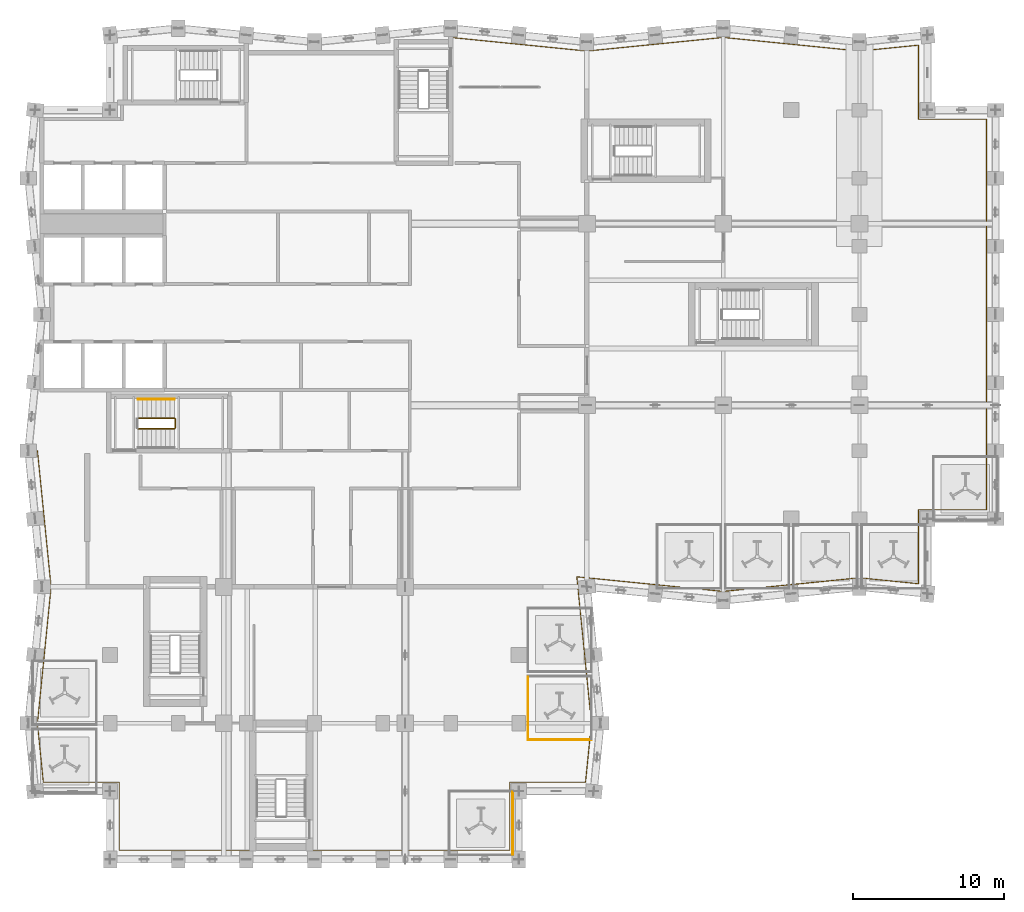
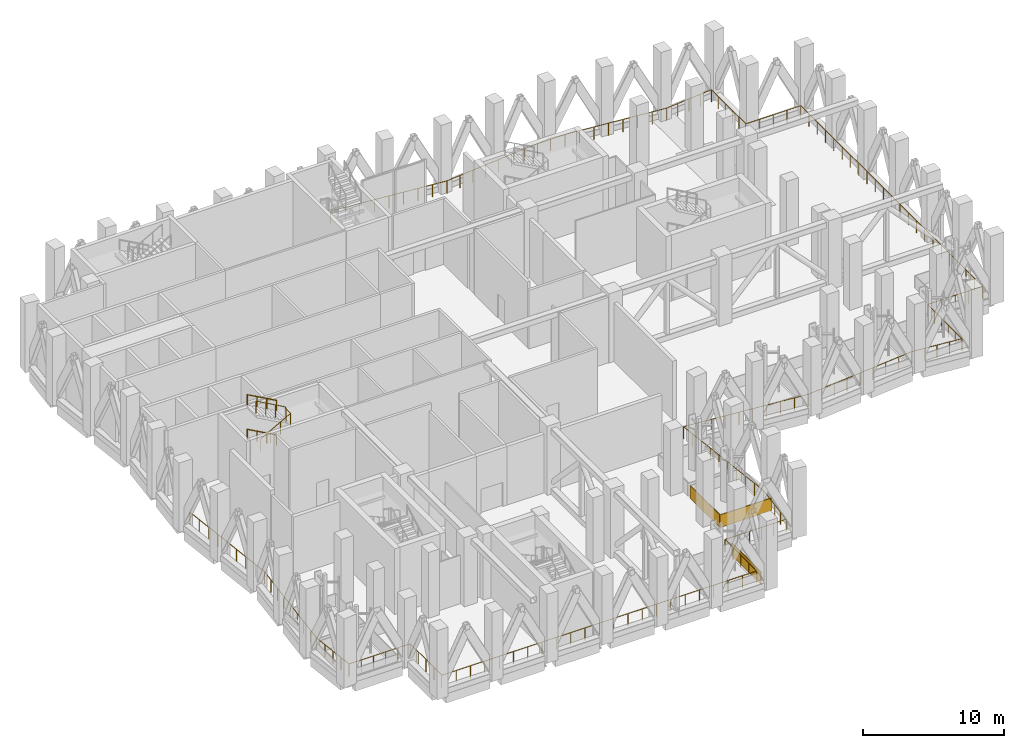
# One storey, part 24 of 28: 7 railings.
"""IFC4 building model written with IfcOpenShell, lengths in metres."""

import ifcopenshell
import ifcopenshell.guid

model = None  # the IFC model being written
_history = None  # IfcOwnerHistory: only IFC2X3 demands one
_inside = {}  # id of a spatial element -> (the spatial element, [elements in it])
_under = {}  # id of a project, library or spatial element -> (it, [spatial elements below it])
_declared = {}  # id of a project -> (the project, [libraries it declares])
_typed = {}  # id of a type object -> (the type object, [elements of that type])
_made_of = {}  # id of a material, layer set ... -> (it, [elements and type objects made of it])


def new_model(schema):
    """Start an empty IFC model of exactly this schema.

    Asked for "IFC4X3", IfcOpenShell would pick the latest addendum, in which some entities
    have other attributes; the version numbers below select the first issue.
    IFC2X3 requires an IfcOwnerHistory on every rooted entity: one is made here for all.
    """
    global model, _history
    if schema == "IFC4X3":
        model = ifcopenshell.file(schema_version=(4, 3, 0, 0))
    else:
        model = ifcopenshell.file(schema=schema)
    _inside.clear()
    _under.clear()
    _declared.clear()
    _typed.clear()
    _made_of.clear()
    _history = None
    if model.schema == "IFC2X3":
        org = make("IfcOrganization", Name="unknown")
        user = make(
            "IfcPersonAndOrganization",
            ThePerson=make("IfcPerson", FamilyName="unknown"),
            TheOrganization=org,
        )
        app = make(
            "IfcApplication",
            ApplicationDeveloper=org,
            Version="unknown",
            ApplicationFullName="unknown",
            ApplicationIdentifier="unknown",
        )
        _history = make(
            "IfcOwnerHistory",
            OwningUser=user,
            OwningApplication=app,
            ChangeAction="ADDED",
            CreationDate=0,
        )
    return model


def make(cls, **values):
    """One entity of the class cls with the attributes given. An attribute that is None is left unset."""
    return model.create_entity(
        cls, **{name: value for name, value in values.items() if value is not None}
    )


def rooted(cls, **values):
    """An entity with a GlobalId (a new one), such as an element, a storey or a relation."""
    return make(cls, GlobalId=ifcopenshell.guid.new(), OwnerHistory=_history, **values)


def si_unit(unit_type, name, prefix=None):
    """IfcSIUnit, for example si_unit("LENGTHUNIT", "METRE", prefix="MILLI")."""
    return make("IfcSIUnit", UnitType=unit_type, Prefix=prefix, Name=name)


def assignment(units):
    """IfcUnitAssignment: the units of a project."""
    return None if units is None else make("IfcUnitAssignment", Units=units)


def point(xyz):
    """IfcCartesianPoint."""
    return None if xyz is None else make("IfcCartesianPoint", Coordinates=xyz)


def direction(xyz):
    """IfcDirection."""
    return None if xyz is None else make("IfcDirection", DirectionRatios=xyz)


def frame(location, z_axis=None, x_axis=None):
    """IfcAxis2Placement3D, a coordinate frame: its origin and axes. An axis left out is left unset."""
    return make(
        "IfcAxis2Placement3D",
        Location=point(location),
        Axis=direction(z_axis),
        RefDirection=direction(x_axis),
    )


def frame_2d(location, x_axis=None):
    """IfcAxis2Placement2D, a coordinate frame in the plane: its origin and x axis."""
    return make(
        "IfcAxis2Placement2D", Location=point(location), RefDirection=direction(x_axis)
    )


def origin():
    """The frame at (0, 0, 0) with its axes left unset."""
    return frame((0.0, 0.0, 0.0))


def origin_2d():
    """The frame at (0, 0) in the plane with its x axis left unset."""
    return frame_2d((0.0, 0.0))


def place(relative_to, where):
    """IfcLocalPlacement: puts the frame where relative to a parent placement (None: the world)."""
    return make(
        "IfcLocalPlacement", PlacementRelTo=relative_to, RelativePlacement=where
    )


def context(
    kind, dimensions, precision=None, world=None, true_north=None, identifier=None
):
    """IfcGeometricRepresentationContext, for example the 3D "Model" context."""
    return make(
        "IfcGeometricRepresentationContext",
        ContextIdentifier=identifier,
        ContextType=kind,
        CoordinateSpaceDimension=dimensions,
        Precision=precision,
        WorldCoordinateSystem=world,
        TrueNorth=true_north,
    )


def subcontext(parent, identifier, kind, view, scale=None):
    """IfcGeometricRepresentationSubContext, for example "Body" below "Model"."""
    return make(
        "IfcGeometricRepresentationSubContext",
        ContextIdentifier=identifier,
        ContextType=kind,
        ParentContext=parent,
        TargetScale=scale,
        TargetView=view,
    )


def project(units=None, contexts=None):
    """IfcProject with its units and contexts."""
    return rooted(
        "IfcProject",
        Name="project",
        RepresentationContexts=contexts,
        UnitsInContext=assignment(units),
    )


def spatial(cls, under=None, at=None, **own):
    """A site, building, storey or space (cls), placed at a placement, below another one or the project."""
    s = rooted(cls, ObjectPlacement=at, **own)
    if under is not None:
        _under.setdefault(under.id(), (under, []))[1].append(s)
    return s


def profile(cls, at=None, kind="AREA", **sizes):
    """A parametric profile (cls). Its sizes go by their IFC names, for example OverallWidth=200.0."""
    return make(cls, ProfileType=kind, Position=at, **sizes)


def rectangle(**sizes):
    """IfcRectangleProfileDef."""
    return profile("IfcRectangleProfileDef", **sizes)


def circle(**sizes):
    """IfcCircleProfileDef."""
    return profile("IfcCircleProfileDef", **sizes)


def extrude(swept, where, along, depth):
    """IfcExtrudedAreaSolid: the profile swept, set in the frame where, extruded along a direction by depth."""
    return make(
        "IfcExtrudedAreaSolid",
        SweptArea=swept,
        Position=where,
        ExtrudedDirection=direction(along),
        Depth=depth,
    )


def shape(context_of_items, identifier, shape_type, items):
    """IfcShapeRepresentation: the items that make up one representation, for example the "Body"."""
    return make(
        "IfcShapeRepresentation",
        ContextOfItems=context_of_items,
        RepresentationIdentifier=identifier,
        RepresentationType=shape_type,
        Items=items,
    )


def material(Name=None, Category=None):
    """IfcMaterial."""
    return make("IfcMaterial", Name=Name, Category=Category)


def made_of(thing, what):
    """Note that an element or type object is made of a material, layer set ...; save() writes the relation."""
    if what is not None:
        _made_of.setdefault(what.id(), (what, []))[1].append(thing)
    return thing


def type_object(cls, material=None, **own):
    """A type object (cls), such as IfcWallType, which elements share."""
    return made_of(rooted(cls, **own), material)


def element(
    cls,
    number,
    at=None,
    inside=None,
    cuts=None,
    type_object=None,
    material=None,
    context=None,
    identifier="Body",
    shape_type=None,
    held_by="IfcProductDefinitionShape",
    body=None,
    shapes=None,
    **own,
):
    """One element of the class cls, such as IfcWall. Its Tag is "e" and its number.

    at: its placement. inside: the storey or other place that contains it. cuts: it is an
    opening in that element (IfcRelVoidsElement). A single representation is given by context,
    identifier, shape_type and body (its items); several are given by shapes. held_by: the class
    of the entity that holds the representations. save() writes the other relations.
    """
    e = rooted(cls, Tag="e%d" % number, ObjectPlacement=at, **own)
    if body is not None:
        shapes = [shape(context, identifier, shape_type, body)]
    if shapes is not None:
        e.Representation = make(held_by, Representations=shapes)
    if inside is not None:
        _inside.setdefault(inside.id(), (inside, []))[1].append(e)
    if cuts is not None:
        rooted(
            "IfcRelVoidsElement", RelatingBuildingElement=cuts, RelatedOpeningElement=e
        )
    if type_object is not None:
        _typed.setdefault(type_object.id(), (type_object, []))[1].append(e)
    return made_of(e, material)


def aggregate(whole, parts):
    """IfcRelAggregates: a whole, such as a stair, and the parts it consists of."""
    return rooted("IfcRelAggregates", RelatingObject=whole, RelatedObjects=parts)


def save(model, path):
    """Write the relations noted so far, then the file.

    IfcRelAggregates (storeys below a building ...), IfcRelContainedInSpatialStructure (elements
    in a storey), IfcRelDefinesByType, IfcRelAssociatesMaterial and IfcRelDeclares: one each for
    every whole, place, type object, material and project.
    """
    for whole, parts in _under.values():
        aggregate(whole, parts)
    for where, things in _inside.values():
        rooted(
            "IfcRelContainedInSpatialStructure",
            RelatedElements=things,
            RelatingStructure=where,
        )
    for kind, things in _typed.values():
        rooted("IfcRelDefinesByType", RelatedObjects=things, RelatingType=kind)
    for what, things in _made_of.values():
        rooted("IfcRelAssociatesMaterial", RelatedObjects=things, RelatingMaterial=what)
    for by, libraries in _declared.values():
        rooted("IfcRelDeclares", RelatingContext=by, RelatedDefinitions=libraries)
    model.write(path)


model = new_model("IFC4")

# Units and contexts
model_context = context("Model", 3, precision=1e-05, world=origin(), true_north=direction((0.0, 1.0)))
body_context = subcontext(model_context, "Body", "Model", "MODEL_VIEW")
ifc_project = project(units=[si_unit("LENGTHUNIT", "METRE"), si_unit("AREAUNIT", "SQUARE_METRE"), si_unit("VOLUMEUNIT", "CUBIC_METRE"), si_unit("PLANEANGLEUNIT", "RADIAN"), si_unit("MASSUNIT", "GRAM", prefix="KILO")], contexts=[model_context])

# Site, building, storey
site_placement = place(None, origin())
site = spatial("IfcSite", under=ifc_project, at=site_placement, CompositionType="ELEMENT")
building_placement = place(site_placement, origin())
building = spatial("IfcBuilding", under=site, at=building_placement, Name="Brondeck Convention Tower", CompositionType="ELEMENT")
storey_placement = place(building_placement, frame((0.0, 0.0, 192.800048828125)))
storey = spatial("IfcBuildingStorey", under=building, at=storey_placement, Name="L47", CompositionType="ELEMENT", Elevation=192.800048828125)

# Railings
ifc_material_1 = material(Name="Steel S355, bronze painted", Category="steel")
railing_type_1 = type_object("IfcRailingType", Name="Band guard, bronze steel rail and posts", PredefinedType="GUARDRAIL", material=ifc_material_1)
railing_1_placement = place(storey_placement, frame((-0.297119140625, 36.0, 0.0)))
element("IfcRailing", 1, at=railing_1_placement, inside=storey, type_object=railing_type_1, Name="ENV-BG-L47-1", PredefinedType="GUARDRAIL", context=body_context, shape_type="SweptSolid", body=[
    extrude(circle(Radius=0.02490234375, at=origin_2d()), frame((0.0, 0.0, 1.0751953125), z_axis=(0.0995197539, -0.995035586592, 0.0), x_axis=(0.995035586592, 0.0995197539, 0.0)), (0.0, 0.0, 1.0), 9.044921875),
    extrude(circle(Radius=0.02490234375, at=origin_2d()), frame((0.900146484375, -9.0, 1.0751953125), z_axis=(-0.0995197539, -0.995035586592, 0.0), x_axis=(0.995035586592, -0.0995197539, 0.0)), (0.0, 0.0, 1.0), 9.044921875),
    extrude(circle(Radius=0.02490234375, at=origin_2d()), frame((0.0, -18.0, 1.0751953125), z_axis=(0.099540723397, -0.995033489077, 0.0), x_axis=(0.995033489077, 0.099540723397, 0.0)), (0.0, 0.0, 1.0), 3.91943359375),
    extrude(circle(Radius=0.02490234375, at=origin_2d()), frame((0.39013671875, -21.89990234375, 1.0751953125), z_axis=(1.0, 0.0, 0.0), x_axis=(0.0, 1.0, 0.0)), (0.0, 0.0, 1.0), 5.007080078125),
    extrude(circle(Radius=0.02490234375, at=origin_2d()), frame((5.397216796875, -21.89990234375, 1.0751953125), z_axis=(0.0, -1.0, 0.0), x_axis=(1.0, 0.0, 0.0)), (0.0, 0.0, 1.0), 4.5),
    extrude(circle(Radius=0.02490234375, at=origin_2d()), frame((5.397216796875, -26.39990234375, 1.0751953125), z_axis=(1.0, 0.0, 0.0), x_axis=(0.0, 1.0, 0.0)), (0.0, 0.0, 1.0), 25.7998046875),
    extrude(circle(Radius=0.02490234375, at=origin_2d()), frame((31.197021484375, -26.39990234375, 1.0751953125), z_axis=(0.0, 1.0, 0.0), x_axis=(-1.0, 0.0, 0.0)), (0.0, 0.0, 1.0), 4.5),
    extrude(circle(Radius=0.02490234375, at=origin_2d()), frame((31.197021484375, -21.89990234375, 1.0751953125), z_axis=(1.0, 0.0, 0.0), x_axis=(0.0, 1.0, 0.0)), (0.0, 0.0, 1.0), 5.007080078125),
    extrude(circle(Radius=0.02490234375, at=origin_2d()), frame((36.2041015625, -21.89990234375, 1.0751953125), z_axis=(0.099540723397, 0.995033489077, 0.0), x_axis=(-0.995033489077, 0.099540723397, 0.0)), (0.0, 0.0, 1.0), 3.91943359375),
    extrude(circle(Radius=0.02490234375, at=origin_2d()), frame((36.59423828125, -18.0, 1.0751953125), z_axis=(-0.099508693696, 0.99503669273, 0.0), x_axis=(-0.99503669273, -0.099508693696, 0.0)), (0.0, 0.0, 1.0), 9.71826171875),
    extrude(circle(Radius=0.02490234375, at=origin_2d()), frame((35.627197265625, -8.330078125, 1.0751953125), z_axis=(0.99503669273, -0.099508693696, 0.0), x_axis=(0.099508693696, 0.99503669273, 0.0)), (0.0, 0.0, 1.0), 9.71826171875),
    extrude(circle(Radius=0.02490234375, at=origin_2d()), frame((45.297119140625, -9.297119140625, 1.0751953125), z_axis=(0.995035586592, 0.0995197539, 0.0), x_axis=(-0.0995197539, 0.995035586592, 0.0)), (0.0, 0.0, 1.0), 9.044921875),
    extrude(circle(Radius=0.02490234375, at=origin_2d()), frame((54.297119140625, -8.39697265625, 1.0751953125), z_axis=(0.995033489077, -0.099540723397, 0.0), x_axis=(0.099540723397, 0.995033489077, 0.0)), (0.0, 0.0, 1.0), 3.91943359375),
    extrude(circle(Radius=0.02490234375, at=origin_2d()), frame((58.197021484375, -8.787109375, 1.0751953125), z_axis=(0.0, 1.0, 0.0), x_axis=(-1.0, 0.0, 0.0)), (0.0, 0.0, 1.0), 4.88720703125),
    extrude(circle(Radius=0.02490234375, at=origin_2d()), frame((58.197021484375, -3.89990234375, 1.0751953125), z_axis=(1.0, 0.0, 0.0), x_axis=(0.0, 1.0, 0.0)), (0.0, 0.0, 1.0), 4.5),
    extrude(circle(Radius=0.02490234375, at=origin_2d()), frame((62.697021484375, -3.89990234375, 1.0751953125), z_axis=(0.0, 1.0, 0.0), x_axis=(-1.0, 0.0, 0.0)), (0.0, 0.0, 1.0), 25.7998046875),
    extrude(circle(Radius=0.02490234375, at=origin_2d()), frame((62.697021484375, 21.89990234375, 1.0751953125), z_axis=(-1.0, 0.0, 0.0), x_axis=(0.0, -1.0, 0.0)), (0.0, 0.0, 1.0), 4.5),
    extrude(circle(Radius=0.02490234375, at=origin_2d()), frame((58.197021484375, 21.89990234375, 1.0751953125), z_axis=(0.0, 1.0, 0.0), x_axis=(-1.0, 0.0, 0.0)), (0.0, 0.0, 1.0), 4.88720703125),
    extrude(circle(Radius=0.02490234375, at=origin_2d()), frame((58.197021484375, 26.787109375, 1.0751953125), z_axis=(-0.995033489077, -0.099540723397, 0.0), x_axis=(0.099540723397, -0.995033489077, 0.0)), (0.0, 0.0, 1.0), 3.91943359375),
    extrude(circle(Radius=0.02490234375, at=origin_2d()), frame((54.297119140625, 26.39697265625, 1.0751953125), z_axis=(-0.995035586592, 0.0995197539, 0.0), x_axis=(-0.0995197539, -0.995035586592, 0.0)), (0.0, 0.0, 1.0), 9.044921875),
    extrude(circle(Radius=0.02490234375, at=origin_2d()), frame((45.297119140625, 27.297119140625, 1.0751953125), z_axis=(-0.995035586592, -0.0995197539, 0.0), x_axis=(0.0995197539, -0.995035586592, 0.0)), (0.0, 0.0, 1.0), 9.044921875),
    extrude(circle(Radius=0.02490234375, at=origin_2d()), frame((36.297119140625, 26.39697265625, 1.0751953125), z_axis=(-0.995035586592, 0.0995197539, 0.0), x_axis=(-0.0995197539, -0.995035586592, 0.0)), (0.0, 0.0, 1.0), 9.044921875),
    extrude(circle(Radius=0.02490234375, at=origin_2d()), origin(), (0.0, 0.0, 1.0), 1.050048828125),
    extrude(circle(Radius=0.02490234375, at=origin_2d()), frame((0.112548828125, -1.125, 0.0)), (0.0, 0.0, 1.0), 1.050048828125),
    extrude(circle(Radius=0.02490234375, at=origin_2d()), frame((0.22509765625, -2.25, 0.0)), (0.0, 0.0, 1.0), 1.050048828125),
    extrude(circle(Radius=0.02490234375, at=origin_2d()), frame((0.337646484375, -3.375, 0.0)), (0.0, 0.0, 1.0), 1.050048828125),
    extrude(circle(Radius=0.02490234375, at=origin_2d()), frame((0.4501953125, -4.5, 0.0)), (0.0, 0.0, 1.0), 1.050048828125),
    extrude(circle(Radius=0.02490234375, at=origin_2d()), frame((0.5625, -5.625, 0.0)), (0.0, 0.0, 1.0), 1.050048828125),
    extrude(circle(Radius=0.02490234375, at=origin_2d()), frame((0.675048828125, -6.75, 0.0)), (0.0, 0.0, 1.0), 1.050048828125),
    extrude(circle(Radius=0.02490234375, at=origin_2d()), frame((0.78759765625, -7.875, 0.0)), (0.0, 0.0, 1.0), 1.050048828125),
    extrude(circle(Radius=0.02490234375, at=origin_2d()), frame((0.900146484375, -9.0, 0.0)), (0.0, 0.0, 1.0), 1.050048828125),
    extrude(circle(Radius=0.02490234375, at=origin_2d()), frame((0.78759765625, -10.125, 0.0)), (0.0, 0.0, 1.0), 1.050048828125),
    extrude(circle(Radius=0.02490234375, at=origin_2d()), frame((0.675048828125, -11.25, 0.0)), (0.0, 0.0, 1.0), 1.050048828125),
    extrude(circle(Radius=0.02490234375, at=origin_2d()), frame((0.5625, -12.375, 0.0)), (0.0, 0.0, 1.0), 1.050048828125),
    extrude(circle(Radius=0.02490234375, at=origin_2d()), frame((0.4501953125, -13.5, 0.0)), (0.0, 0.0, 1.0), 1.050048828125),
    extrude(circle(Radius=0.02490234375, at=origin_2d()), frame((0.337646484375, -14.625, 0.0)), (0.0, 0.0, 1.0), 1.050048828125),
    extrude(circle(Radius=0.02490234375, at=origin_2d()), frame((0.22509765625, -15.75, 0.0)), (0.0, 0.0, 1.0), 1.050048828125),
    extrude(circle(Radius=0.02490234375, at=origin_2d()), frame((0.112548828125, -16.875, 0.0)), (0.0, 0.0, 1.0), 1.050048828125),
    extrude(circle(Radius=0.02490234375, at=origin_2d()), frame((0.0, -18.0, 0.0)), (0.0, 0.0, 1.0), 1.050048828125),
    extrude(circle(Radius=0.02490234375, at=origin_2d()), frame((0.09765625, -18.97509765625, 0.0)), (0.0, 0.0, 1.0), 1.050048828125),
    extrude(circle(Radius=0.02490234375, at=origin_2d()), frame((0.195068359375, -19.949951171875, 0.0)), (0.0, 0.0, 1.0), 1.050048828125),
    extrude(circle(Radius=0.02490234375, at=origin_2d()), frame((0.29248046875, -20.9248046875, 0.0)), (0.0, 0.0, 1.0), 1.050048828125),
    extrude(circle(Radius=0.02490234375, at=origin_2d()), frame((0.39013671875, -21.89990234375, 0.0)), (0.0, 0.0, 1.0), 1.050048828125),
    extrude(circle(Radius=0.02490234375, at=origin_2d()), frame((1.3916015625, -21.89990234375, 0.0)), (0.0, 0.0, 1.0), 1.050048828125),
    extrude(circle(Radius=0.02490234375, at=origin_2d()), frame((2.39306640625, -21.89990234375, 0.0)), (0.0, 0.0, 1.0), 1.050048828125),
    extrude(circle(Radius=0.02490234375, at=origin_2d()), frame((3.394287109375, -21.89990234375, 0.0)), (0.0, 0.0, 1.0), 1.050048828125),
    extrude(circle(Radius=0.02490234375, at=origin_2d()), frame((4.395751953125, -21.89990234375, 0.0)), (0.0, 0.0, 1.0), 1.050048828125),
    extrude(circle(Radius=0.02490234375, at=origin_2d()), frame((5.397216796875, -21.89990234375, 0.0)), (0.0, 0.0, 1.0), 1.050048828125),
    extrude(circle(Radius=0.02490234375, at=origin_2d()), frame((5.397216796875, -23.02490234375, 0.0)), (0.0, 0.0, 1.0), 1.050048828125),
    extrude(circle(Radius=0.02490234375, at=origin_2d()), frame((5.397216796875, -24.14990234375, 0.0)), (0.0, 0.0, 1.0), 1.050048828125),
    extrude(circle(Radius=0.02490234375, at=origin_2d()), frame((5.397216796875, -25.27490234375, 0.0)), (0.0, 0.0, 1.0), 1.050048828125),
    extrude(circle(Radius=0.02490234375, at=origin_2d()), frame((5.397216796875, -26.39990234375, 0.0)), (0.0, 0.0, 1.0), 1.050048828125),
    extrude(circle(Radius=0.02490234375, at=origin_2d()), frame((6.56982421875, -26.39990234375, 0.0)), (0.0, 0.0, 1.0), 1.050048828125),
    extrude(circle(Radius=0.02490234375, at=origin_2d()), frame((7.74267578125, -26.39990234375, 0.0)), (0.0, 0.0, 1.0), 1.050048828125),
    extrude(circle(Radius=0.02490234375, at=origin_2d()), frame((8.915283203125, -26.39990234375, 0.0)), (0.0, 0.0, 1.0), 1.050048828125),
    extrude(circle(Radius=0.02490234375, at=origin_2d()), frame((10.088134765625, -26.39990234375, 0.0)), (0.0, 0.0, 1.0), 1.050048828125),
    extrude(circle(Radius=0.02490234375, at=origin_2d()), frame((11.2607421875, -26.39990234375, 0.0)), (0.0, 0.0, 1.0), 1.050048828125),
    extrude(circle(Radius=0.02490234375, at=origin_2d()), frame((12.43359375, -26.39990234375, 0.0)), (0.0, 0.0, 1.0), 1.050048828125),
    extrude(circle(Radius=0.02490234375, at=origin_2d()), frame((13.606201171875, -26.39990234375, 0.0)), (0.0, 0.0, 1.0), 1.050048828125),
    extrude(circle(Radius=0.02490234375, at=origin_2d()), frame((14.779052734375, -26.39990234375, 0.0)), (0.0, 0.0, 1.0), 1.050048828125),
    extrude(circle(Radius=0.02490234375, at=origin_2d()), frame((15.95166015625, -26.39990234375, 0.0)), (0.0, 0.0, 1.0), 1.050048828125),
    extrude(circle(Radius=0.02490234375, at=origin_2d()), frame((17.12451171875, -26.39990234375, 0.0)), (0.0, 0.0, 1.0), 1.050048828125),
    extrude(circle(Radius=0.02490234375, at=origin_2d()), frame((18.297119140625, -26.39990234375, 0.0)), (0.0, 0.0, 1.0), 1.050048828125),
    extrude(circle(Radius=0.02490234375, at=origin_2d()), frame((19.4697265625, -26.39990234375, 0.0)), (0.0, 0.0, 1.0), 1.050048828125),
    extrude(circle(Radius=0.02490234375, at=origin_2d()), frame((20.642578125, -26.39990234375, 0.0)), (0.0, 0.0, 1.0), 1.050048828125),
    extrude(circle(Radius=0.02490234375, at=origin_2d()), frame((21.815185546875, -26.39990234375, 0.0)), (0.0, 0.0, 1.0), 1.050048828125),
    extrude(circle(Radius=0.02490234375, at=origin_2d()), frame((22.988037109375, -26.39990234375, 0.0)), (0.0, 0.0, 1.0), 1.050048828125),
    extrude(circle(Radius=0.02490234375, at=origin_2d()), frame((24.16064453125, -26.39990234375, 0.0)), (0.0, 0.0, 1.0), 1.050048828125),
    extrude(circle(Radius=0.02490234375, at=origin_2d()), frame((25.33349609375, -26.39990234375, 0.0)), (0.0, 0.0, 1.0), 1.050048828125),
    extrude(circle(Radius=0.02490234375, at=origin_2d()), frame((26.506103515625, -26.39990234375, 0.0)), (0.0, 0.0, 1.0), 1.050048828125),
    extrude(circle(Radius=0.02490234375, at=origin_2d()), frame((27.678955078125, -26.39990234375, 0.0)), (0.0, 0.0, 1.0), 1.050048828125),
    extrude(circle(Radius=0.02490234375, at=origin_2d()), frame((28.8515625, -26.39990234375, 0.0)), (0.0, 0.0, 1.0), 1.050048828125),
    extrude(circle(Radius=0.02490234375, at=origin_2d()), frame((30.0244140625, -26.39990234375, 0.0)), (0.0, 0.0, 1.0), 1.050048828125),
    extrude(circle(Radius=0.02490234375, at=origin_2d()), frame((31.197021484375, -26.39990234375, 0.0)), (0.0, 0.0, 1.0), 1.050048828125),
    extrude(circle(Radius=0.02490234375, at=origin_2d()), frame((31.197021484375, -25.27490234375, 0.0)), (0.0, 0.0, 1.0), 1.050048828125),
    extrude(circle(Radius=0.02490234375, at=origin_2d()), frame((31.197021484375, -24.14990234375, 0.0)), (0.0, 0.0, 1.0), 1.050048828125),
    extrude(circle(Radius=0.02490234375, at=origin_2d()), frame((31.197021484375, -23.02490234375, 0.0)), (0.0, 0.0, 1.0), 1.050048828125),
    extrude(circle(Radius=0.02490234375, at=origin_2d()), frame((31.197021484375, -21.89990234375, 0.0)), (0.0, 0.0, 1.0), 1.050048828125),
    extrude(circle(Radius=0.02490234375, at=origin_2d()), frame((32.198486328125, -21.89990234375, 0.0)), (0.0, 0.0, 1.0), 1.050048828125),
    extrude(circle(Radius=0.02490234375, at=origin_2d()), frame((33.199951171875, -21.89990234375, 0.0)), (0.0, 0.0, 1.0), 1.050048828125),
    extrude(circle(Radius=0.02490234375, at=origin_2d()), frame((34.201171875, -21.89990234375, 0.0)), (0.0, 0.0, 1.0), 1.050048828125),
    extrude(circle(Radius=0.02490234375, at=origin_2d()), frame((35.20263671875, -21.89990234375, 0.0)), (0.0, 0.0, 1.0), 1.050048828125),
    extrude(circle(Radius=0.02490234375, at=origin_2d()), frame((36.2041015625, -21.89990234375, 0.0)), (0.0, 0.0, 1.0), 1.050048828125),
    extrude(circle(Radius=0.02490234375, at=origin_2d()), frame((36.3017578125, -20.9248046875, 0.0)), (0.0, 0.0, 1.0), 1.050048828125),
    extrude(circle(Radius=0.02490234375, at=origin_2d()), frame((36.399169921875, -19.949951171875, 0.0)), (0.0, 0.0, 1.0), 1.050048828125),
    extrude(circle(Radius=0.02490234375, at=origin_2d()), frame((36.49658203125, -18.97509765625, 0.0)), (0.0, 0.0, 1.0), 1.050048828125),
    extrude(circle(Radius=0.02490234375, at=origin_2d()), frame((36.59423828125, -18.0, 0.0)), (0.0, 0.0, 1.0), 1.050048828125),
    extrude(circle(Radius=0.02490234375, at=origin_2d()), frame((36.48681640625, -16.925537109375, 0.0)), (0.0, 0.0, 1.0), 1.050048828125),
    extrude(circle(Radius=0.02490234375, at=origin_2d()), frame((36.37939453125, -15.85107421875, 0.0)), (0.0, 0.0, 1.0), 1.050048828125),
    extrude(circle(Radius=0.02490234375, at=origin_2d()), frame((36.27197265625, -14.776611328125, 0.0)), (0.0, 0.0, 1.0), 1.050048828125),
    extrude(circle(Radius=0.02490234375, at=origin_2d()), frame((36.16455078125, -13.7021484375, 0.0)), (0.0, 0.0, 1.0), 1.050048828125),
    extrude(circle(Radius=0.02490234375, at=origin_2d()), frame((36.056884765625, -12.6279296875, 0.0)), (0.0, 0.0, 1.0), 1.050048828125),
    extrude(circle(Radius=0.02490234375, at=origin_2d()), frame((35.949462890625, -11.553466796875, 0.0)), (0.0, 0.0, 1.0), 1.050048828125),
    extrude(circle(Radius=0.02490234375, at=origin_2d()), frame((35.842041015625, -10.47900390625, 0.0)), (0.0, 0.0, 1.0), 1.050048828125),
    extrude(circle(Radius=0.02490234375, at=origin_2d()), frame((35.734619140625, -9.404541015625, 0.0)), (0.0, 0.0, 1.0), 1.050048828125),
    extrude(circle(Radius=0.02490234375, at=origin_2d()), frame((35.627197265625, -8.330078125, 0.0)), (0.0, 0.0, 1.0), 1.050048828125),
    extrude(circle(Radius=0.02490234375, at=origin_2d()), frame((36.70166015625, -8.4375, 0.0)), (0.0, 0.0, 1.0), 1.050048828125),
    extrude(circle(Radius=0.02490234375, at=origin_2d()), frame((37.776123046875, -8.544921875, 0.0)), (0.0, 0.0, 1.0), 1.050048828125),
    extrude(circle(Radius=0.02490234375, at=origin_2d()), frame((38.8505859375, -8.65234375, 0.0)), (0.0, 0.0, 1.0), 1.050048828125),
    extrude(circle(Radius=0.02490234375, at=origin_2d()), frame((39.925048828125, -8.759765625, 0.0)), (0.0, 0.0, 1.0), 1.050048828125),
    extrude(circle(Radius=0.02490234375, at=origin_2d()), frame((40.999267578125, -8.867431640625, 0.0)), (0.0, 0.0, 1.0), 1.050048828125),
    extrude(circle(Radius=0.02490234375, at=origin_2d()), frame((42.07373046875, -8.974853515625, 0.0)), (0.0, 0.0, 1.0), 1.050048828125),
    extrude(circle(Radius=0.02490234375, at=origin_2d()), frame((43.148193359375, -9.082275390625, 0.0)), (0.0, 0.0, 1.0), 1.050048828125),
    extrude(circle(Radius=0.02490234375, at=origin_2d()), frame((44.22265625, -9.189697265625, 0.0)), (0.0, 0.0, 1.0), 1.050048828125),
    extrude(circle(Radius=0.02490234375, at=origin_2d()), frame((45.297119140625, -9.297119140625, 0.0)), (0.0, 0.0, 1.0), 1.050048828125),
    extrude(circle(Radius=0.02490234375, at=origin_2d()), frame((46.422119140625, -9.1845703125, 0.0)), (0.0, 0.0, 1.0), 1.050048828125),
    extrude(circle(Radius=0.02490234375, at=origin_2d()), frame((47.547119140625, -9.072021484375, 0.0)), (0.0, 0.0, 1.0), 1.050048828125),
    extrude(circle(Radius=0.02490234375, at=origin_2d()), frame((48.672119140625, -8.95947265625, 0.0)), (0.0, 0.0, 1.0), 1.050048828125),
    extrude(circle(Radius=0.02490234375, at=origin_2d()), frame((49.797119140625, -8.84716796875, 0.0)), (0.0, 0.0, 1.0), 1.050048828125),
    extrude(circle(Radius=0.02490234375, at=origin_2d()), frame((50.922119140625, -8.734619140625, 0.0)), (0.0, 0.0, 1.0), 1.050048828125),
    extrude(circle(Radius=0.02490234375, at=origin_2d()), frame((52.047119140625, -8.6220703125, 0.0)), (0.0, 0.0, 1.0), 1.050048828125),
    extrude(circle(Radius=0.02490234375, at=origin_2d()), frame((53.172119140625, -8.509521484375, 0.0)), (0.0, 0.0, 1.0), 1.050048828125),
    extrude(circle(Radius=0.02490234375, at=origin_2d()), frame((54.297119140625, -8.39697265625, 0.0)), (0.0, 0.0, 1.0), 1.050048828125),
    extrude(circle(Radius=0.02490234375, at=origin_2d()), frame((55.27197265625, -8.49462890625, 0.0)), (0.0, 0.0, 1.0), 1.050048828125),
    extrude(circle(Radius=0.02490234375, at=origin_2d()), frame((56.2470703125, -8.592041015625, 0.0)), (0.0, 0.0, 1.0), 1.050048828125),
    extrude(circle(Radius=0.02490234375, at=origin_2d()), frame((57.22216796875, -8.689453125, 0.0)), (0.0, 0.0, 1.0), 1.050048828125),
    extrude(circle(Radius=0.02490234375, at=origin_2d()), frame((58.197021484375, -8.787109375, 0.0)), (0.0, 0.0, 1.0), 1.050048828125),
    extrude(circle(Radius=0.02490234375, at=origin_2d()), frame((58.197021484375, -7.8095703125, 0.0)), (0.0, 0.0, 1.0), 1.050048828125),
    extrude(circle(Radius=0.02490234375, at=origin_2d()), frame((58.197021484375, -6.832275390625, 0.0)), (0.0, 0.0, 1.0), 1.050048828125),
    extrude(circle(Radius=0.02490234375, at=origin_2d()), frame((58.197021484375, -5.854736328125, 0.0)), (0.0, 0.0, 1.0), 1.050048828125),
    extrude(circle(Radius=0.02490234375, at=origin_2d()), frame((58.197021484375, -4.87744140625, 0.0)), (0.0, 0.0, 1.0), 1.050048828125),
    extrude(circle(Radius=0.02490234375, at=origin_2d()), frame((58.197021484375, -3.89990234375, 0.0)), (0.0, 0.0, 1.0), 1.050048828125),
    extrude(circle(Radius=0.02490234375, at=origin_2d()), frame((59.322021484375, -3.89990234375, 0.0)), (0.0, 0.0, 1.0), 1.050048828125),
    extrude(circle(Radius=0.02490234375, at=origin_2d()), frame((60.447021484375, -3.89990234375, 0.0)), (0.0, 0.0, 1.0), 1.050048828125),
    extrude(circle(Radius=0.02490234375, at=origin_2d()), frame((61.572021484375, -3.89990234375, 0.0)), (0.0, 0.0, 1.0), 1.050048828125),
    extrude(circle(Radius=0.02490234375, at=origin_2d()), frame((62.697021484375, -3.89990234375, 0.0)), (0.0, 0.0, 1.0), 1.050048828125),
    extrude(circle(Radius=0.02490234375, at=origin_2d()), frame((62.697021484375, -2.727294921875, 0.0)), (0.0, 0.0, 1.0), 1.050048828125),
    extrude(circle(Radius=0.02490234375, at=origin_2d()), frame((62.697021484375, -1.554443359375, 0.0)), (0.0, 0.0, 1.0), 1.050048828125),
    extrude(circle(Radius=0.02490234375, at=origin_2d()), frame((62.697021484375, -0.3818359375, 0.0)), (0.0, 0.0, 1.0), 1.050048828125),
    extrude(circle(Radius=0.02490234375, at=origin_2d()), frame((62.697021484375, 0.791015625, 0.0)), (0.0, 0.0, 1.0), 1.050048828125),
    extrude(circle(Radius=0.02490234375, at=origin_2d()), frame((62.697021484375, 1.963623046875, 0.0)), (0.0, 0.0, 1.0), 1.050048828125),
    extrude(circle(Radius=0.02490234375, at=origin_2d()), frame((62.697021484375, 3.136474609375, 0.0)), (0.0, 0.0, 1.0), 1.050048828125),
    extrude(circle(Radius=0.02490234375, at=origin_2d()), frame((62.697021484375, 4.30908203125, 0.0)), (0.0, 0.0, 1.0), 1.050048828125),
    extrude(circle(Radius=0.02490234375, at=origin_2d()), frame((62.697021484375, 5.48193359375, 0.0)), (0.0, 0.0, 1.0), 1.050048828125),
    extrude(circle(Radius=0.02490234375, at=origin_2d()), frame((62.697021484375, 6.654541015625, 0.0)), (0.0, 0.0, 1.0), 1.050048828125),
    extrude(circle(Radius=0.02490234375, at=origin_2d()), frame((62.697021484375, 7.827392578125, 0.0)), (0.0, 0.0, 1.0), 1.050048828125),
    extrude(circle(Radius=0.02490234375, at=origin_2d()), frame((62.697021484375, 9.0, 0.0)), (0.0, 0.0, 1.0), 1.050048828125),
    extrude(circle(Radius=0.02490234375, at=origin_2d()), frame((62.697021484375, 10.172607421875, 0.0)), (0.0, 0.0, 1.0), 1.050048828125),
    extrude(circle(Radius=0.02490234375, at=origin_2d()), frame((62.697021484375, 11.345458984375, 0.0)), (0.0, 0.0, 1.0), 1.050048828125),
    extrude(circle(Radius=0.02490234375, at=origin_2d()), frame((62.697021484375, 12.51806640625, 0.0)), (0.0, 0.0, 1.0), 1.050048828125),
    extrude(circle(Radius=0.02490234375, at=origin_2d()), frame((62.697021484375, 13.69091796875, 0.0)), (0.0, 0.0, 1.0), 1.050048828125),
    extrude(circle(Radius=0.02490234375, at=origin_2d()), frame((62.697021484375, 14.863525390625, 0.0)), (0.0, 0.0, 1.0), 1.050048828125),
    extrude(circle(Radius=0.02490234375, at=origin_2d()), frame((62.697021484375, 16.036376953125, 0.0)), (0.0, 0.0, 1.0), 1.050048828125),
    extrude(circle(Radius=0.02490234375, at=origin_2d()), frame((62.697021484375, 17.208984375, 0.0)), (0.0, 0.0, 1.0), 1.050048828125),
    extrude(circle(Radius=0.02490234375, at=origin_2d()), frame((62.697021484375, 18.3818359375, 0.0)), (0.0, 0.0, 1.0), 1.050048828125),
    extrude(circle(Radius=0.02490234375, at=origin_2d()), frame((62.697021484375, 19.554443359375, 0.0)), (0.0, 0.0, 1.0), 1.050048828125),
    extrude(circle(Radius=0.02490234375, at=origin_2d()), frame((62.697021484375, 20.727294921875, 0.0)), (0.0, 0.0, 1.0), 1.050048828125),
    extrude(circle(Radius=0.02490234375, at=origin_2d()), frame((62.697021484375, 21.89990234375, 0.0)), (0.0, 0.0, 1.0), 1.050048828125),
    extrude(circle(Radius=0.02490234375, at=origin_2d()), frame((61.572021484375, 21.89990234375, 0.0)), (0.0, 0.0, 1.0), 1.050048828125),
    extrude(circle(Radius=0.02490234375, at=origin_2d()), frame((60.447021484375, 21.89990234375, 0.0)), (0.0, 0.0, 1.0), 1.050048828125),
    extrude(circle(Radius=0.02490234375, at=origin_2d()), frame((59.322021484375, 21.89990234375, 0.0)), (0.0, 0.0, 1.0), 1.050048828125),
    extrude(circle(Radius=0.02490234375, at=origin_2d()), frame((58.197021484375, 21.89990234375, 0.0)), (0.0, 0.0, 1.0), 1.050048828125),
    extrude(circle(Radius=0.02490234375, at=origin_2d()), frame((58.197021484375, 22.87744140625, 0.0)), (0.0, 0.0, 1.0), 1.050048828125),
    extrude(circle(Radius=0.02490234375, at=origin_2d()), frame((58.197021484375, 23.854736328125, 0.0)), (0.0, 0.0, 1.0), 1.050048828125),
    extrude(circle(Radius=0.02490234375, at=origin_2d()), frame((58.197021484375, 24.832275390625, 0.0)), (0.0, 0.0, 1.0), 1.050048828125),
    extrude(circle(Radius=0.02490234375, at=origin_2d()), frame((58.197021484375, 25.8095703125, 0.0)), (0.0, 0.0, 1.0), 1.050048828125),
    extrude(circle(Radius=0.02490234375, at=origin_2d()), frame((58.197021484375, 26.787109375, 0.0)), (0.0, 0.0, 1.0), 1.050048828125),
    extrude(circle(Radius=0.02490234375, at=origin_2d()), frame((57.22216796875, 26.689453125, 0.0)), (0.0, 0.0, 1.0), 1.050048828125),
    extrude(circle(Radius=0.02490234375, at=origin_2d()), frame((56.2470703125, 26.592041015625, 0.0)), (0.0, 0.0, 1.0), 1.050048828125),
    extrude(circle(Radius=0.02490234375, at=origin_2d()), frame((55.27197265625, 26.49462890625, 0.0)), (0.0, 0.0, 1.0), 1.050048828125),
    extrude(circle(Radius=0.02490234375, at=origin_2d()), frame((54.297119140625, 26.39697265625, 0.0)), (0.0, 0.0, 1.0), 1.050048828125),
    extrude(circle(Radius=0.02490234375, at=origin_2d()), frame((53.172119140625, 26.509521484375, 0.0)), (0.0, 0.0, 1.0), 1.050048828125),
    extrude(circle(Radius=0.02490234375, at=origin_2d()), frame((52.047119140625, 26.6220703125, 0.0)), (0.0, 0.0, 1.0), 1.050048828125),
    extrude(circle(Radius=0.02490234375, at=origin_2d()), frame((50.922119140625, 26.734619140625, 0.0)), (0.0, 0.0, 1.0), 1.050048828125),
    extrude(circle(Radius=0.02490234375, at=origin_2d()), frame((49.797119140625, 26.84716796875, 0.0)), (0.0, 0.0, 1.0), 1.050048828125),
    extrude(circle(Radius=0.02490234375, at=origin_2d()), frame((48.672119140625, 26.95947265625, 0.0)), (0.0, 0.0, 1.0), 1.050048828125),
    extrude(circle(Radius=0.02490234375, at=origin_2d()), frame((47.547119140625, 27.072021484375, 0.0)), (0.0, 0.0, 1.0), 1.050048828125),
    extrude(circle(Radius=0.02490234375, at=origin_2d()), frame((46.422119140625, 27.1845703125, 0.0)), (0.0, 0.0, 1.0), 1.050048828125),
    extrude(circle(Radius=0.02490234375, at=origin_2d()), frame((45.297119140625, 27.297119140625, 0.0)), (0.0, 0.0, 1.0), 1.050048828125),
    extrude(circle(Radius=0.02490234375, at=origin_2d()), frame((44.172119140625, 27.1845703125, 0.0)), (0.0, 0.0, 1.0), 1.050048828125),
    extrude(circle(Radius=0.02490234375, at=origin_2d()), frame((43.047119140625, 27.072021484375, 0.0)), (0.0, 0.0, 1.0), 1.050048828125),
    extrude(circle(Radius=0.02490234375, at=origin_2d()), frame((41.922119140625, 26.95947265625, 0.0)), (0.0, 0.0, 1.0), 1.050048828125),
    extrude(circle(Radius=0.02490234375, at=origin_2d()), frame((40.797119140625, 26.84716796875, 0.0)), (0.0, 0.0, 1.0), 1.050048828125),
    extrude(circle(Radius=0.02490234375, at=origin_2d()), frame((39.672119140625, 26.734619140625, 0.0)), (0.0, 0.0, 1.0), 1.050048828125),
    extrude(circle(Radius=0.02490234375, at=origin_2d()), frame((38.547119140625, 26.6220703125, 0.0)), (0.0, 0.0, 1.0), 1.050048828125),
    extrude(circle(Radius=0.02490234375, at=origin_2d()), frame((37.422119140625, 26.509521484375, 0.0)), (0.0, 0.0, 1.0), 1.050048828125),
    extrude(circle(Radius=0.02490234375, at=origin_2d()), frame((36.297119140625, 26.39697265625, 0.0)), (0.0, 0.0, 1.0), 1.050048828125),
    extrude(circle(Radius=0.02490234375, at=origin_2d()), frame((35.172119140625, 26.509521484375, 0.0)), (0.0, 0.0, 1.0), 1.050048828125),
    extrude(circle(Radius=0.02490234375, at=origin_2d()), frame((34.047119140625, 26.6220703125, 0.0)), (0.0, 0.0, 1.0), 1.050048828125),
    extrude(circle(Radius=0.02490234375, at=origin_2d()), frame((32.922119140625, 26.734619140625, 0.0)), (0.0, 0.0, 1.0), 1.050048828125),
    extrude(circle(Radius=0.02490234375, at=origin_2d()), frame((31.797119140625, 26.84716796875, 0.0)), (0.0, 0.0, 1.0), 1.050048828125),
    extrude(circle(Radius=0.02490234375, at=origin_2d()), frame((30.672119140625, 26.95947265625, 0.0)), (0.0, 0.0, 1.0), 1.050048828125),
    extrude(circle(Radius=0.02490234375, at=origin_2d()), frame((29.547119140625, 27.072021484375, 0.0)), (0.0, 0.0, 1.0), 1.050048828125),
    extrude(circle(Radius=0.02490234375, at=origin_2d()), frame((28.422119140625, 27.1845703125, 0.0)), (0.0, 0.0, 1.0), 1.050048828125),
    extrude(circle(Radius=0.02490234375, at=origin_2d()), frame((27.297119140625, 27.297119140625, 0.0)), (0.0, 0.0, 1.0), 1.050048828125),
])
ifc_material_2 = material(Name="Steel S355", Category="steel")
railing_type_2 = type_object("IfcRailingType", Name="Stair guard 1100", PredefinedType="GUARDRAIL", material=ifc_material_2)
railing_2_placement = place(storey_placement, frame((6.35009765625, 37.449951171875, 3.16650390625)))
element("IfcRailing", 2, at=railing_2_placement, inside=storey, type_object=railing_type_2, Name="L47 ST-1 stair guard 3", PredefinedType="GUARDRAIL", context=body_context, shape_type="SweptSolid", body=[
    extrude(circle(Radius=0.02392578125, at=origin_2d()), frame((0.0, 0.0, 1.076171875), z_axis=(0.874123717778, 0.0, 0.485703331282), x_axis=(0.0, 1.0, 0.0)), (0.0, 0.0, 1.0), 2.74560546875),
    extrude(circle(Radius=0.02392578125, at=origin_2d()), frame((2.39990234375, 0.0, 2.40966796875), z_axis=(0.707106781187, 0.707106781187, 0.0), x_axis=(-0.707106781187, 0.707106781187, 0.0)), (0.0, 0.0, 1.0), 0.07080078125),
    extrude(circle(Radius=0.02392578125, at=origin_2d()), frame((2.449951171875, 0.050048828125, 2.40966796875), z_axis=(0.0, 1.0, 0.0), x_axis=(-1.0, 0.0, 0.0)), (0.0, 0.0, 1.0), 0.60009765625),
    extrude(circle(Radius=0.02392578125, at=origin_2d()), frame((2.449951171875, 0.650146484375, 2.40966796875), z_axis=(-0.276732813696, 0.275382897532, 0.920642824102), x_axis=(-0.705375805398, -0.708833529934, 0.0)), (0.0, 0.0, 1.0), 0.180908203125),
    extrude(circle(Radius=0.02392578125, at=origin_2d()), frame((2.39990234375, 0.699951171875, 2.576171875), z_axis=(-0.874123717778, 0.0, 0.485703331282), x_axis=(0.0, -1.0, 0.0)), (0.0, 0.0, 1.0), 2.74560546875),
    extrude(circle(Radius=0.02099609375, at=origin_2d()), origin(), (0.0, 0.0, 1.0), 1.052001953125),
    extrude(circle(Radius=0.02099609375, at=origin_2d()), frame((0.800048828125, 0.0, 0.444580078125)), (0.0, 0.0, 1.0), 1.052001953125),
    extrude(circle(Radius=0.02099609375, at=origin_2d()), frame((1.599853515625, 0.0, 0.888916015625)), (0.0, 0.0, 1.0), 1.052001953125),
    extrude(circle(Radius=0.02099609375, at=origin_2d()), frame((2.39990234375, 0.0, 1.33349609375)), (0.0, 0.0, 1.0), 1.052001953125),
    extrude(circle(Radius=0.02099609375, at=origin_2d()), frame((2.449951171875, 0.050048828125, 1.33349609375)), (0.0, 0.0, 1.0), 1.052001953125),
    extrude(circle(Radius=0.02099609375, at=origin_2d()), frame((2.449951171875, 0.650146484375, 1.33349609375)), (0.0, 0.0, 1.0), 1.052001953125),
    extrude(circle(Radius=0.02099609375, at=origin_2d()), frame((2.39990234375, 0.699951171875, 1.5)), (0.0, 0.0, 1.0), 1.052001953125),
    extrude(circle(Radius=0.02099609375, at=origin_2d()), frame((1.599853515625, 0.699951171875, 1.944580078125)), (0.0, 0.0, 1.0), 1.052001953125),
    extrude(circle(Radius=0.02099609375, at=origin_2d()), frame((0.800048828125, 0.699951171875, 2.388916015625)), (0.0, 0.0, 1.0), 1.052001953125),
    extrude(circle(Radius=0.02099609375, at=origin_2d()), frame((0.0, 0.699951171875, 2.83349609375)), (0.0, 0.0, 1.0), 1.052001953125),
])
railing_type_3 = type_object("IfcRailingType", Name="Stair handrail", PredefinedType="HANDRAIL", material=ifc_material_2)
for number, where, name in (
    (3, (8.75, 39.39990234375, 1.66650390625), "L47 ST-1 stair handrail 2"),
    (4, (8.75, 39.39990234375, 4.66650390625), "L47 ST-1 stair handrail 4"),
):
    element("IfcRailing", number, at=place(storey_placement, frame(where)), inside=storey, type_object=railing_type_3, Name=name, PredefinedType="HANDRAIL", context=body_context, shape_type="SweptSolid", body=[
        extrude(circle(Radius=0.02392578125, at=origin_2d()), frame((0.0, 0.0, 0.8759765625), z_axis=(-0.874123717778, 0.0, 0.485703331282), x_axis=(0.0, -1.0, 0.0)), (0.0, 0.0, 1.0), 2.74560546875),
        extrude(circle(Radius=0.02099609375, at=origin_2d()), origin(), (0.0, 0.0, 1.0), 0.851806640625),
        extrude(circle(Radius=0.02099609375, at=origin_2d()), frame((-0.800048828125, 0.0, 0.444580078125)), (0.0, 0.0, 1.0), 0.851806640625),
        extrude(circle(Radius=0.02099609375, at=origin_2d()), frame((-1.599853515625, 0.0, 0.888916015625)), (0.0, 0.0, 1.0), 0.851806640625),
        extrude(circle(Radius=0.02099609375, at=origin_2d()), frame((-2.39990234375, 0.0, 1.33349609375)), (0.0, 0.0, 1.0), 0.851806640625),
    ])
ifc_material_3 = material(Name="Galvanised steel", Category="steel")
railing_type_4 = type_object("IfcRailingType", Name="Turbine guard 1100", PredefinedType="GUARDRAIL", material=ifc_material_3)
railing_3_placement = place(storey_placement, frame((34.199951171875, 16.89990234375, 0.0), z_axis=(0.0, 0.0, 1.0), x_axis=(1.0, 0.0, 0.0)))
element("IfcRailing", 5, at=railing_3_placement, inside=storey, type_object=railing_type_4, Name="Turbine guard", PredefinedType="GUARDRAIL", context=body_context, shape_type="SweptSolid", body=[
    extrude(rectangle(XDim=4.25, YDim=0.050048828125, at=origin_2d()), origin(), (0.0, 0.0, 1.0), 1.10009765625),
])
for number, where, z_axis, x_axis, name in (
    (6, (32.10009765625, 19.0, 0.0), (0.0, 0.0, 1.0), (1.0, 0.0, 0.0), "Turbine guard"),
    (7, (31.10009765625, 11.39990234375, 0.0), (0.0, 0.0, 1.0), (1.0, 0.0, 0.0), "Turbine guard"),
):
    element("IfcRailing", number, at=place(storey_placement, frame(where, z_axis=z_axis, x_axis=x_axis)), inside=storey, type_object=railing_type_4, Name=name, PredefinedType="GUARDRAIL", context=body_context, shape_type="SweptSolid", body=[
        extrude(rectangle(XDim=0.050048828125, YDim=4.14990234375, at=origin_2d()), origin(), (0.0, 0.0, 1.0), 1.10009765625),
    ])

save(model, "model.ifc")
